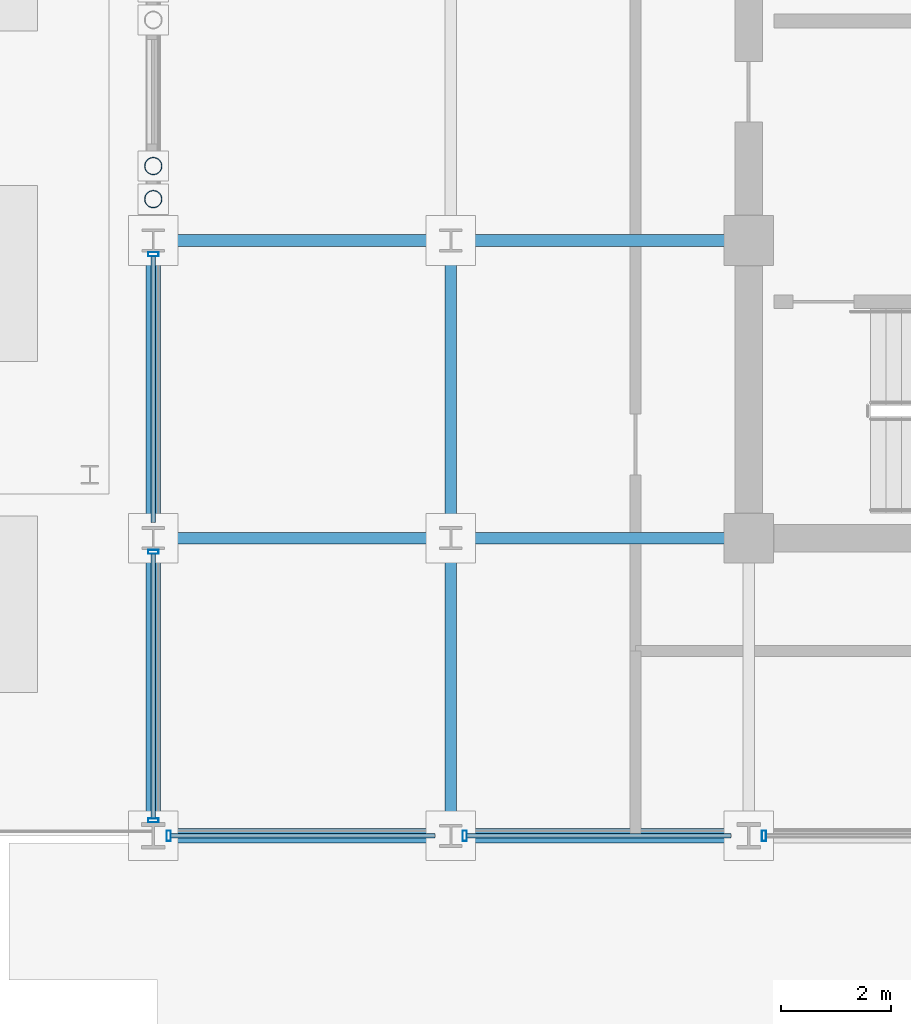
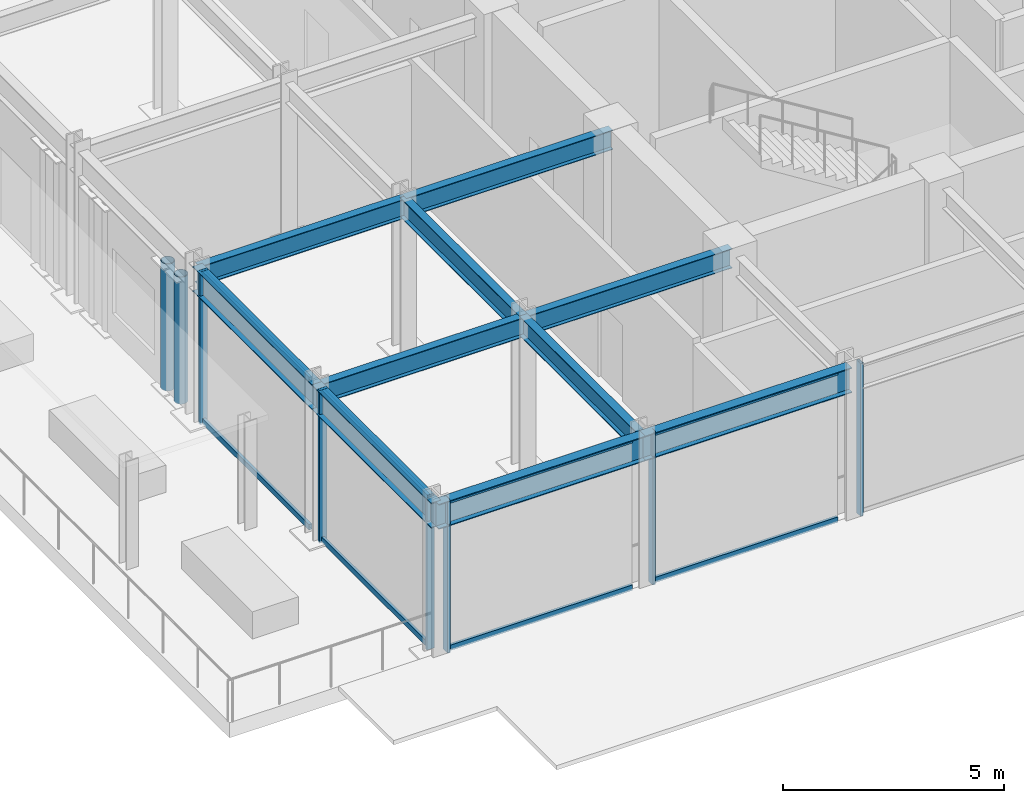
# One storey, part 2 of 22: 16 members, 10 beams, 2 elements without a shape of their own.
"""IFC4 building model written with IfcOpenShell, lengths in metres."""

from ifc_helpers import new_model, si_unit, direction, frame, origin, origin_2d, place, context, subcontext, project, spatial, hollow_rectangle, hollow_circle, i_section, extrude, material, layer, layer_set, material_profile, profile_set, type_object, element, aggregate, save


model = new_model("IFC4")

# Units and contexts
model_context = context("Model", 3, precision=1e-05, world=origin(), true_north=direction((0.0, 1.0)))
body_context = subcontext(model_context, "Body", "Model", "MODEL_VIEW")
ifc_project = project(units=[si_unit("LENGTHUNIT", "METRE"), si_unit("AREAUNIT", "SQUARE_METRE"), si_unit("VOLUMEUNIT", "CUBIC_METRE"), si_unit("PLANEANGLEUNIT", "RADIAN"), si_unit("MASSUNIT", "GRAM", prefix="KILO")], contexts=[model_context])

# Site, building, storey
site_placement = place(None, origin())
site = spatial("IfcSite", under=ifc_project, at=site_placement, CompositionType="ELEMENT")
building_placement = place(site_placement, origin())
building = spatial("IfcBuilding", under=site, at=building_placement, Name="Surkhivell Harbour Commons", CompositionType="ELEMENT")
storey_placement = place(building_placement, frame((0.0, 0.0, 337.5)))
storey = spatial("IfcBuildingStorey", under=building, at=storey_placement, Name="L88", CompositionType="ELEMENT", Elevation=337.5)

# Beams
ifc_material_1 = material(Name="Steel S355", Category="steel")
ifc_material_profile_1 = material_profile(ifc_material_1, i_section(OverallWidth=0.2099609375, OverallDepth=0.537109375, WebThickness=0.0107421875, FlangeThickness=0.017333984375, at=origin_2d()), Name="UB533x210x101")
ifc_profile_set_1 = profile_set([ifc_material_profile_1], Name="Steel S355")
beam_type_1 = type_object("IfcBeamType", Name="BM-GRD-533B", PredefinedType="BEAM", material=ifc_profile_set_1)
for number, where, z_axis, x_axis, name in (
    (1, (-21.60009765625, -10.800048828125, 3.951416015625), (1.0, 0.0, 0.0), (0.0, 1.0, 0.0), "L88 Floor Girder (-21.6,-10.8)"),
    (2, (-21.60009765625, -5.39990234375, 3.951416015625), (1.0, 0.0, 0.0), (0.0, 1.0, 0.0), "L88 Floor Girder (-21.6,-5.4)"),
):
    element("IfcBeam", number, at=place(storey_placement, frame(where, z_axis=z_axis, x_axis=x_axis)), inside=storey, type_object=beam_type_1, Name=name, PredefinedType="BEAM", context=body_context, shape_type="SweptSolid", body=[
        extrude(i_section(OverallWidth=0.2099609375, OverallDepth=0.537109375, WebThickness=0.0107421875, FlangeThickness=0.017333984375, at=origin_2d()), origin(), (0.0, 0.0, 1.0), 5.400146484375),
    ])
beam_1_placement = place(storey_placement, frame((-16.199951171875, -16.199951171875, 3.951416015625), z_axis=(0.0, 1.0, 0.0), x_axis=(-1.0, 0.0, 0.0)))
element("IfcBeam", 3, at=beam_1_placement, inside=storey, type_object=beam_type_1, Name="L88 Floor Girder (-16.2,-16.2)", PredefinedType="BEAM", context=body_context, shape_type="SweptSolid", body=[
    extrude(i_section(OverallWidth=0.2099609375, OverallDepth=0.537109375, WebThickness=0.0107421875, FlangeThickness=0.017333984375, at=origin_2d()), origin(), (0.0, 0.0, 1.0), 5.39990234375),
])
beam_2_placement = place(storey_placement, frame((-16.199951171875, -10.800048828125, 3.951416015625), z_axis=(0.0, 1.0, 0.0), x_axis=(-1.0, 0.0, 0.0)))
element("IfcBeam", 4, at=beam_2_placement, inside=storey, type_object=beam_type_1, Name="L88 Floor Girder (-16.2,-10.8)", PredefinedType="BEAM", context=body_context, shape_type="SweptSolid", body=[
    extrude(i_section(OverallWidth=0.2099609375, OverallDepth=0.537109375, WebThickness=0.0107421875, FlangeThickness=0.017333984375, at=origin_2d()), origin(), (0.0, 0.0, 1.0), 5.400146484375),
])
for number, where, z_axis, x_axis, name in (
    (5, (-16.199951171875, -10.800048828125, 3.951416015625), (1.0, 0.0, 0.0), (0.0, 1.0, 0.0), "L88 Floor Girder (-16.2,-10.8)"),
    (6, (-16.199951171875, -5.39990234375, 3.951416015625), (1.0, 0.0, 0.0), (0.0, 1.0, 0.0), "L88 Floor Girder (-16.2,-5.4)"),
):
    element("IfcBeam", number, at=place(storey_placement, frame(where, z_axis=z_axis, x_axis=x_axis)), inside=storey, type_object=beam_type_1, Name=name, PredefinedType="BEAM", context=body_context, shape_type="SweptSolid", body=[
        extrude(i_section(OverallWidth=0.2099609375, OverallDepth=0.537109375, WebThickness=0.0107421875, FlangeThickness=0.017333984375, at=origin_2d()), origin(), (0.0, 0.0, 1.0), 5.39990234375),
    ])
ifc_material_profile_2 = material_profile(ifc_material_1, i_section(OverallWidth=0.256103515625, OverallDepth=0.693115234375, WebThickness=0.014404296875, FlangeThickness=0.023681640625, at=origin_2d()), Name="UB686x254x170")
ifc_profile_set_2 = profile_set([ifc_material_profile_2], Name="Steel S355")
beam_type_2 = type_object("IfcBeamType", Name="BM-SPN-686", PredefinedType="SPANDREL", material=ifc_profile_set_2)
beam_3_placement = place(storey_placement, frame((-21.60009765625, -16.199951171875, 3.87353515625), z_axis=(0.0, 1.0, 0.0), x_axis=(-1.0, 0.0, 0.0)))
element("IfcBeam", 7, at=beam_3_placement, inside=storey, type_object=beam_type_2, Name="L88 Tube Spandrel (-21.6,-16.2)", PredefinedType="SPANDREL", context=body_context, shape_type="SweptSolid", body=[
    extrude(i_section(OverallWidth=0.256103515625, OverallDepth=0.693115234375, WebThickness=0.014404296875, FlangeThickness=0.023681640625, at=origin_2d()), origin(), (0.0, 0.0, 1.0), 5.39990234375),
])
for number, where, z_axis, x_axis, name in (
    (8, (-21.60009765625, -16.199951171875, 3.87353515625), (1.0, 0.0, 0.0), (0.0, 1.0, 0.0), "L88 Tube Spandrel (-21.6,-16.2)"),
    (9, (-21.60009765625, -10.800048828125, 3.87353515625), (0.0, 1.0, 0.0), (-1.0, 0.0, 0.0), "L88 Tube Spandrel (-21.6,-10.8)"),
):
    element("IfcBeam", number, at=place(storey_placement, frame(where, z_axis=z_axis, x_axis=x_axis)), inside=storey, type_object=beam_type_2, Name=name, PredefinedType="SPANDREL", context=body_context, shape_type="SweptSolid", body=[
        extrude(i_section(OverallWidth=0.256103515625, OverallDepth=0.693115234375, WebThickness=0.014404296875, FlangeThickness=0.023681640625, at=origin_2d()), origin(), (0.0, 0.0, 1.0), 5.400146484375),
    ])
beam_4_placement = place(storey_placement, frame((-16.199951171875, -16.199951171875, 3.87353515625), z_axis=(1.0, 0.0, 0.0), x_axis=(0.0, 1.0, 0.0)))
element("IfcBeam", 10, at=beam_4_placement, inside=storey, type_object=beam_type_2, Name="L88 Tube Spandrel (-16.2,-16.2)", PredefinedType="SPANDREL", context=body_context, shape_type="SweptSolid", body=[
    extrude(i_section(OverallWidth=0.256103515625, OverallDepth=0.693115234375, WebThickness=0.014404296875, FlangeThickness=0.023681640625, at=origin_2d()), origin(), (0.0, 0.0, 1.0), 5.39990234375),
])

# Curtain wall, members
ifc_material_2 = material(Name="Anodised pale-metal aluminium and insulated glazing", Category="aluminium")
ifc_layer = layer(ifc_material_2, 0.22998046875)
ifc_layer_set = layer_set([ifc_layer], Name="Anodised pale-metal aluminium and insulated glazing")
curtain_wall_type = type_object("IfcCurtainWallType", Name="CW-SYS-CRN", PredefinedType="NOTDEFINED", material=ifc_layer_set)
curtain_wall_1_placement = place(storey_placement, origin())
curtain_wall_1 = element("IfcCurtainWall", 11, at=curtain_wall_1_placement, inside=storey, type_object=curtain_wall_type, Name="L88 Curtain Wall CW-L88-C00", PredefinedType="NOTDEFINED")
ifc_material_3 = material(Name="Anodised pale-metal aluminium alloy 6063-T6", Category="aluminium")
ifc_material_profile_3 = material_profile(ifc_material_3, hollow_rectangle(XDim=0.074951171875, YDim=0.18994140625, WallThickness=0.00390625, at=origin_2d()), Name="ALU-MULL-75x190")
ifc_profile_set_3 = profile_set([ifc_material_profile_3], Name="Anodised pale-metal aluminium alloy 6063-T6")
member_type_1 = type_object("IfcMemberType", Name="CWM-190", PredefinedType="MULLION", material=ifc_profile_set_3)
member_1_placement = place(storey_placement, frame((-21.320556640625, -16.199951171875, 0.0), z_axis=(0.0, 0.0, 1.0), x_axis=(1.0, 0.0, 0.0)))
member_1 = element("IfcMember", 12, at=member_1_placement, type_object=member_type_1, Name="CW-CRN mullion 1", PredefinedType="MULLION", context=body_context, shape_type="SweptSolid", body=[
    extrude(hollow_rectangle(XDim=0.074951171875, YDim=0.18994140625, WallThickness=0.00390625, at=origin_2d()), origin(), (0.0, 0.0, 1.0), 4.219970703125),
])
member_2_placement = place(storey_placement, frame((-15.950439453125, -16.199951171875, 0.0), z_axis=(0.0, 0.0, 1.0), x_axis=(1.0, 0.0, 0.0)))
member_2 = element("IfcMember", 13, at=member_2_placement, type_object=member_type_1, Name="CW-CRN mullion 2", PredefinedType="MULLION", context=body_context, shape_type="SweptSolid", body=[
    extrude(hollow_rectangle(XDim=0.074951171875, YDim=0.18994140625, WallThickness=0.00390625, at=origin_2d()), origin(), (0.0, 0.0, 1.0), 4.219970703125),
])
member_3_placement = place(storey_placement, frame((-10.5205078125, -16.199951171875, 0.0), z_axis=(0.0, 0.0, 1.0), x_axis=(1.0, 0.0, 0.0)))
member_3 = element("IfcMember", 14, at=member_3_placement, type_object=member_type_1, Name="CW-CRN mullion 3", PredefinedType="MULLION", context=body_context, shape_type="SweptSolid", body=[
    extrude(hollow_rectangle(XDim=0.074951171875, YDim=0.18994140625, WallThickness=0.00390625, at=origin_2d()), origin(), (0.0, 0.0, 1.0), 4.219970703125),
])

curtain_wall_2_placement = place(storey_placement, origin())
curtain_wall_2 = element("IfcCurtainWall", 15, at=curtain_wall_2_placement, inside=storey, type_object=curtain_wall_type, Name="L88 Curtain Wall CW-L88-C03S1", PredefinedType="NOTDEFINED")
member_4_placement = place(storey_placement, frame((-21.60009765625, -5.6494140625, 0.0), z_axis=(0.0, 0.0, 1.0), x_axis=(0.0, -1.0, 0.0)))
member_4 = element("IfcMember", 16, at=member_4_placement, type_object=member_type_1, Name="CW-CRN mullion 1", PredefinedType="MULLION", context=body_context, shape_type="SweptSolid", body=[
    extrude(hollow_rectangle(XDim=0.074951171875, YDim=0.18994140625, WallThickness=0.00390625, at=origin_2d()), origin(), (0.0, 0.0, 1.0), 4.219970703125),
])
member_5_placement = place(storey_placement, frame((-21.60009765625, -11.049560546875, 0.0), z_axis=(0.0, 0.0, 1.0), x_axis=(0.0, -1.0, 0.0)))
member_5 = element("IfcMember", 17, at=member_5_placement, type_object=member_type_1, Name="CW-CRN mullion 2", PredefinedType="MULLION", context=body_context, shape_type="SweptSolid", body=[
    extrude(hollow_rectangle(XDim=0.074951171875, YDim=0.18994140625, WallThickness=0.00390625, at=origin_2d()), origin(), (0.0, 0.0, 1.0), 4.219970703125),
])
member_6_placement = place(storey_placement, frame((-21.60009765625, -15.92041015625, 0.0), z_axis=(0.0, 0.0, 1.0), x_axis=(0.0, -1.0, 0.0)))
member_6 = element("IfcMember", 18, at=member_6_placement, type_object=member_type_1, Name="CW-CRN mullion 3", PredefinedType="MULLION", context=body_context, shape_type="SweptSolid", body=[
    extrude(hollow_rectangle(XDim=0.074951171875, YDim=0.18994140625, WallThickness=0.00390625, at=origin_2d()), origin(), (0.0, 0.0, 1.0), 4.219970703125),
])

# Member
ifc_material_profile_4 = material_profile(ifc_material_3, hollow_rectangle(XDim=0.074951171875, YDim=0.14990234375, WallThickness=0.00341796875, at=origin_2d()), Name="ALU-TRAN-75x150")
ifc_profile_set_4 = profile_set([ifc_material_profile_4], Name="Anodised pale-metal aluminium alloy 6063-T6")
member_type_2 = type_object("IfcMemberType", Name="CWT-150", PredefinedType="USERDEFINED", material=ifc_profile_set_4)
member_7_placement = place(storey_placement, frame((-21.282958984375, -16.199951171875, 0.074951171875), z_axis=(1.0, 0.0, 0.0), x_axis=(0.0, 1.0, 0.0)))
member_7 = element("IfcMember", 19, at=member_7_placement, type_object=member_type_2, Name="CW-CRN transom 1.1", ObjectType="TRANSOM", PredefinedType="USERDEFINED", context=body_context, shape_type="SweptSolid", body=[
    extrude(hollow_rectangle(XDim=0.074951171875, YDim=0.14990234375, WallThickness=0.00341796875, at=origin_2d()), origin(), (0.0, 0.0, 1.0), 4.7958984375),
])

member_8_placement = place(storey_placement, frame((-21.282958984375, -16.199951171875, 4.14501953125), z_axis=(1.0, 0.0, 0.0), x_axis=(0.0, 1.0, 0.0)))
member_8 = element("IfcMember", 20, at=member_8_placement, type_object=member_type_2, Name="CW-CRN transom 1.2", ObjectType="TRANSOM", PredefinedType="USERDEFINED", context=body_context, shape_type="SweptSolid", body=[
    extrude(hollow_rectangle(XDim=0.074951171875, YDim=0.14990234375, WallThickness=0.00341796875, at=origin_2d()), origin(), (0.0, 0.0, 1.0), 4.7958984375),
])

member_9_placement = place(storey_placement, frame((-15.9130859375, -16.199951171875, 0.074951171875), z_axis=(1.0, 0.0, 0.0), x_axis=(0.0, 1.0, 0.0)))
member_9 = element("IfcMember", 21, at=member_9_placement, type_object=member_type_2, Name="CW-CRN transom 2.1", ObjectType="TRANSOM", PredefinedType="USERDEFINED", context=body_context, shape_type="SweptSolid", body=[
    extrude(hollow_rectangle(XDim=0.074951171875, YDim=0.14990234375, WallThickness=0.00341796875, at=origin_2d()), origin(), (0.0, 0.0, 1.0), 4.796142578125),
])

member_10_placement = place(storey_placement, frame((-15.9130859375, -16.199951171875, 4.14501953125), z_axis=(1.0, 0.0, 0.0), x_axis=(0.0, 1.0, 0.0)))
member_10 = element("IfcMember", 22, at=member_10_placement, type_object=member_type_2, Name="CW-CRN transom 2.2", ObjectType="TRANSOM", PredefinedType="USERDEFINED", context=body_context, shape_type="SweptSolid", body=[
    extrude(hollow_rectangle(XDim=0.074951171875, YDim=0.14990234375, WallThickness=0.00341796875, at=origin_2d()), origin(), (0.0, 0.0, 1.0), 4.796142578125),
])

aggregate(curtain_wall_1, [member_1, member_7, member_8, member_2, member_9, member_10, member_3])

member_11_placement = place(storey_placement, frame((-21.60009765625, -5.68701171875, 0.074951171875), z_axis=(0.0, -1.0, 0.0), x_axis=(1.0, 0.0, 0.0)))
member_11 = element("IfcMember", 23, at=member_11_placement, type_object=member_type_2, Name="CW-CRN transom 1.1", ObjectType="TRANSOM", PredefinedType="USERDEFINED", context=body_context, shape_type="SweptSolid", body=[
    extrude(hollow_rectangle(XDim=0.074951171875, YDim=0.14990234375, WallThickness=0.00341796875, at=origin_2d()), origin(), (0.0, 0.0, 1.0), 4.825927734375),
])

member_12_placement = place(storey_placement, frame((-21.60009765625, -5.68701171875, 4.14501953125), z_axis=(0.0, -1.0, 0.0), x_axis=(1.0, 0.0, 0.0)))
member_12 = element("IfcMember", 24, at=member_12_placement, type_object=member_type_2, Name="CW-CRN transom 1.2", ObjectType="TRANSOM", PredefinedType="USERDEFINED", context=body_context, shape_type="SweptSolid", body=[
    extrude(hollow_rectangle(XDim=0.074951171875, YDim=0.14990234375, WallThickness=0.00341796875, at=origin_2d()), origin(), (0.0, 0.0, 1.0), 4.825927734375),
])

member_13_placement = place(storey_placement, frame((-21.60009765625, -11.0869140625, 0.074951171875), z_axis=(0.0, -1.0, 0.0), x_axis=(1.0, 0.0, 0.0)))
member_13 = element("IfcMember", 25, at=member_13_placement, type_object=member_type_2, Name="CW-CRN transom 2.1", ObjectType="TRANSOM", PredefinedType="USERDEFINED", context=body_context, shape_type="SweptSolid", body=[
    extrude(hollow_rectangle(XDim=0.074951171875, YDim=0.14990234375, WallThickness=0.00341796875, at=origin_2d()), origin(), (0.0, 0.0, 1.0), 4.796142578125),
])

member_14_placement = place(storey_placement, frame((-21.60009765625, -11.0869140625, 4.14501953125), z_axis=(0.0, -1.0, 0.0), x_axis=(1.0, 0.0, 0.0)))
member_14 = element("IfcMember", 26, at=member_14_placement, type_object=member_type_2, Name="CW-CRN transom 2.2", ObjectType="TRANSOM", PredefinedType="USERDEFINED", context=body_context, shape_type="SweptSolid", body=[
    extrude(hollow_rectangle(XDim=0.074951171875, YDim=0.14990234375, WallThickness=0.00341796875, at=origin_2d()), origin(), (0.0, 0.0, 1.0), 4.796142578125),
])

aggregate(curtain_wall_2, [member_4, member_11, member_12, member_5, member_6, member_13, member_14])

# Members
ifc_material_profile_5 = material_profile(ifc_material_1, hollow_circle(Radius=0.161865234375, WallThickness=0.01611328125, at=origin_2d()), Name="CHS323x16")
ifc_profile_set_5 = profile_set([ifc_material_profile_5], Name="Steel S355")
member_type_3 = type_object("IfcMemberType", Name="MEM-STR-CHS323", PredefinedType="STRUT", material=ifc_profile_set_5)
for number, where, z_axis, x_axis, name in (
    (27, (-21.60009765625, -4.64990234375, 0.02001953125), (0.0, 0.0, 1.0), (1.0, 0.0, 0.0), "L88 Sky-Garden Canopy Strut OS-01"),
    (28, (-21.60009765625, -4.050048828125, 0.02001953125), (0.0, 0.0, 1.0), (1.0, 0.0, 0.0), "L88 Sky-Garden Canopy Strut OS-02"),
):
    element("IfcMember", number, at=place(storey_placement, frame(where, z_axis=z_axis, x_axis=x_axis)), inside=storey, type_object=member_type_3, Name=name, PredefinedType="STRUT", context=body_context, shape_type="SweptSolid", body=[
        extrude(hollow_circle(Radius=0.161865234375, WallThickness=0.01611328125, at=origin_2d()), origin(), (0.0, 0.0, 1.0), 3.510986328125),
    ])

save(model, "model.ifc")
